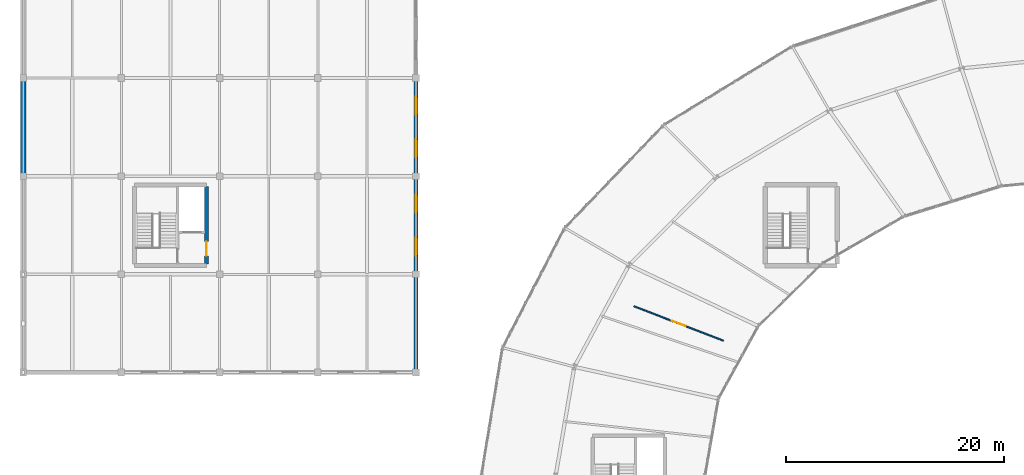
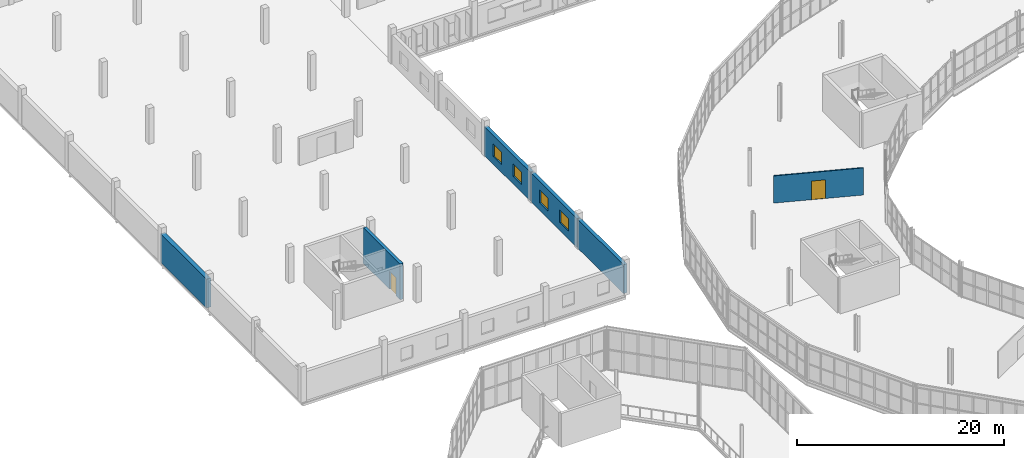
# One storey, part 137 of 161: 6 walls, 4 windows, 2 doors, 6 openings.
"""IFC4 building model written with IfcOpenShell, lengths in metres."""

from ifc_helpers import new_model, si_unit, direction, frame, frame_2d, origin, place, context, subcontext, project, spatial, rectangle, extrude, material, layer, layer_set, type_object, element, fill, save


model = new_model("IFC4")

# Units and contexts
model_context = context("Model", 3, precision=1e-05, world=origin(), true_north=direction((0.0, 1.0)))
body_context = subcontext(model_context, "Body", "Model", "MODEL_VIEW")
ifc_project = project(units=[si_unit("LENGTHUNIT", "METRE"), si_unit("AREAUNIT", "SQUARE_METRE"), si_unit("VOLUMEUNIT", "CUBIC_METRE"), si_unit("PLANEANGLEUNIT", "RADIAN"), si_unit("MASSUNIT", "GRAM", prefix="KILO")], contexts=[model_context])

# Site, building, storey
site_placement = place(None, origin())
site = spatial("IfcSite", under=ifc_project, at=site_placement, CompositionType="ELEMENT")
building_placement = place(site_placement, origin())
building = spatial("IfcBuilding", under=site, at=building_placement, Name="Kildeholm Park Wholesale Market", CompositionType="ELEMENT")
storey_placement = place(building_placement, frame((0.0, 0.0, 5.39990234375)))
storey = spatial("IfcBuildingStorey", under=building, at=storey_placement, Name="L01", CompositionType="ELEMENT", Elevation=5.39990234375)

# Wall
ifc_material_1 = material(Name="Precast concrete C40/50 insulated cold-store envelope wall", Category="concrete")
ifc_layer_1 = layer(ifc_material_1, 0.3798828125)
ifc_layer_set_1 = layer_set([ifc_layer_1], Name="Precast concrete C40/50 insulated cold-store envelope wall")
wall_type_1 = type_object("IfcWallType", Name="Exterior wall W-CS1 380 mm", PredefinedType="SOLIDWALL", material=ifc_layer_set_1)
wall_1_placement = place(storey_placement, frame((36.0, 99.06005859375, 0.0), z_axis=(0.0, 0.0, 1.0), x_axis=(0.0, 1.0, 0.0)))
element("IfcWall", 1, at=wall_1_placement, inside=storey, type_object=wall_type_1, Name="Exterior wall V4WE-L01.1 WL-0418", PredefinedType="SOLIDWALL", context=body_context, shape_type="SweptSolid", body=[
    extrude(rectangle(XDim=8.8798828125, YDim=0.3798828125, at=frame_2d((4.43994140625, 0.0))), origin(), (0.0, 0.0, 1.0), 3.400146484375),
])

# Wall, openings, windows
wall_2_placement = place(storey_placement, frame((36.0, 108.06005859375, 0.0), z_axis=(0.0, 0.0, 1.0), x_axis=(0.0, 1.0, 0.0)))
wall_2 = element("IfcWall", 2, at=wall_2_placement, inside=storey, type_object=wall_type_1, Name="Exterior wall V4WE-L01.2 WL-0419", PredefinedType="SOLIDWALL", context=body_context, shape_type="SweptSolid", body=[
    extrude(rectangle(XDim=8.8798828125, YDim=0.3798828125, at=frame_2d((4.43994140625, 0.0))), origin(), (0.0, 0.0, 1.0), 3.400146484375),
])
opening_1_placement = place(wall_2_placement, frame((1.660888671875, 0.0, 0.89990234375)))
opening_1 = element("IfcOpeningElement", 3, at=opening_1_placement, cuts=wall_2, Name="Opening WN-11", PredefinedType="OPENING", context=body_context, shape_type="SweptSolid", body=[
    extrude(rectangle(XDim=1.64990234375, YDim=1.5, at=frame_2d((0.824951171875, 0.75))), frame((0.0, 0.199951171875, 0.0), z_axis=(0.0, -1.0, 0.0), x_axis=(1.0, 0.0, 0.0)), (0.0, 0.0, 1.0), 0.39990234375),
])
opening_2_placement = place(wall_2_placement, frame((5.569091796875, 0.0, 0.89990234375)))
opening_2 = element("IfcOpeningElement", 4, at=opening_2_placement, cuts=wall_2, Name="Opening WN-11", PredefinedType="OPENING", context=body_context, shape_type="SweptSolid", body=[
    extrude(rectangle(XDim=1.64990234375, YDim=1.5, at=frame_2d((0.824951171875, 0.75))), frame((0.0, 0.199951171875, 0.0), z_axis=(0.0, -1.0, 0.0), x_axis=(1.0, 0.0, 0.0)), (0.0, 0.0, 1.0), 0.39990234375),
])
ifc_material_2 = material(Name="Thermally broken aluminium and triple-glazed low-E glass", Category="aluminium")
window_type = type_object("IfcWindowType", Name="Window WN-11 1650x1500", PartitioningType="DOUBLE_PANEL_VERTICAL", PredefinedType="WINDOW", material=ifc_material_2)
window_1_placement = place(opening_1_placement, origin())
window_1 = element("IfcWindow", 5, at=window_1_placement, inside=storey, type_object=window_type, Name="Window V4WE-L01.2.1 WIN-0207", OverallHeight=1.5, OverallWidth=1.64990234375, PartitioningType="SINGLE_PANEL", PredefinedType="WINDOW", context=body_context, shape_type="SweptSolid", body=[
    extrude(rectangle(XDim=1.64990234375, YDim=1.5, at=frame_2d((0.824951171875, 0.75))), frame((0.0, 0.030029296875, 0.0), z_axis=(0.0, -1.0, 0.0), x_axis=(1.0, 0.0, 0.0)), (0.0, 0.0, 1.0), 0.06005859375),
])
fill(opening_1, window_1)
window_2_placement = place(opening_2_placement, origin())
window_2 = element("IfcWindow", 6, at=window_2_placement, inside=storey, type_object=window_type, Name="Window V4WE-L01.2.2 WIN-0208", OverallHeight=1.5, OverallWidth=1.64990234375, PartitioningType="SINGLE_PANEL", PredefinedType="WINDOW", context=body_context, shape_type="SweptSolid", body=[
    extrude(rectangle(XDim=1.64990234375, YDim=1.5, at=frame_2d((0.824951171875, 0.75))), frame((0.0, 0.030029296875, 0.0), z_axis=(0.0, -1.0, 0.0), x_axis=(1.0, 0.0, 0.0)), (0.0, 0.0, 1.0), 0.06005859375),
])
fill(opening_2, window_2)

wall_3_placement = place(storey_placement, frame((36.0, 117.06005859375, 0.0), z_axis=(0.0, 0.0, 1.0), x_axis=(0.0, 1.0, 0.0)))
wall_3 = element("IfcWall", 7, at=wall_3_placement, inside=storey, type_object=wall_type_1, Name="Exterior wall V4WE-L01.3 WL-0420", PredefinedType="SOLIDWALL", context=body_context, shape_type="SweptSolid", body=[
    extrude(rectangle(XDim=8.8798828125, YDim=0.3798828125, at=frame_2d((4.43994140625, 0.0))), origin(), (0.0, 0.0, 1.0), 3.400146484375),
])
opening_3_placement = place(wall_3_placement, frame((1.660888671875, 0.0, 0.89990234375)))
opening_3 = element("IfcOpeningElement", 8, at=opening_3_placement, cuts=wall_3, Name="Opening WN-11", PredefinedType="OPENING", context=body_context, shape_type="SweptSolid", body=[
    extrude(rectangle(XDim=1.64990234375, YDim=1.5, at=frame_2d((0.824951171875, 0.75))), frame((0.0, 0.199951171875, 0.0), z_axis=(0.0, -1.0, 0.0), x_axis=(1.0, 0.0, 0.0)), (0.0, 0.0, 1.0), 0.39990234375),
])
opening_4_placement = place(wall_3_placement, frame((5.569091796875, 0.0, 0.89990234375)))
opening_4 = element("IfcOpeningElement", 9, at=opening_4_placement, cuts=wall_3, Name="Opening WN-11", PredefinedType="OPENING", context=body_context, shape_type="SweptSolid", body=[
    extrude(rectangle(XDim=1.64990234375, YDim=1.5, at=frame_2d((0.824951171875, 0.75))), frame((0.0, 0.199951171875, 0.0), z_axis=(0.0, -1.0, 0.0), x_axis=(1.0, 0.0, 0.0)), (0.0, 0.0, 1.0), 0.39990234375),
])
window_3_placement = place(opening_3_placement, origin())
window_3 = element("IfcWindow", 10, at=window_3_placement, inside=storey, type_object=window_type, Name="Window V4WE-L01.3.1 WIN-0209", OverallHeight=1.5, OverallWidth=1.64990234375, PartitioningType="SINGLE_PANEL", PredefinedType="WINDOW", context=body_context, shape_type="SweptSolid", body=[
    extrude(rectangle(XDim=1.64990234375, YDim=1.5, at=frame_2d((0.824951171875, 0.75))), frame((0.0, 0.030029296875, 0.0), z_axis=(0.0, -1.0, 0.0), x_axis=(1.0, 0.0, 0.0)), (0.0, 0.0, 1.0), 0.06005859375),
])
fill(opening_3, window_3)
window_4_placement = place(opening_4_placement, origin())
window_4 = element("IfcWindow", 11, at=window_4_placement, inside=storey, type_object=window_type, Name="Window V4WE-L01.3.2 WIN-0210", OverallHeight=1.5, OverallWidth=1.64990234375, PartitioningType="SINGLE_PANEL", PredefinedType="WINDOW", context=body_context, shape_type="SweptSolid", body=[
    extrude(rectangle(XDim=1.64990234375, YDim=1.5, at=frame_2d((0.824951171875, 0.75))), frame((0.0, 0.030029296875, 0.0), z_axis=(0.0, -1.0, 0.0), x_axis=(1.0, 0.0, 0.0)), (0.0, 0.0, 1.0), 0.06005859375),
])
fill(opening_4, window_4)

# Wall
ifc_material_3 = material(Name="Precast concrete C40/50 deep-freeze thermal envelope wall", Category="concrete")
ifc_layer_2 = layer(ifc_material_3, 0.47998046875)
ifc_layer_set_2 = layer_set([ifc_layer_2], Name="Precast concrete C40/50 deep-freeze thermal envelope wall")
wall_type_2 = type_object("IfcWallType", Name="Exterior wall W-CS2 480 mm", PredefinedType="SOLIDWALL", material=ifc_layer_set_2)
wall_4_placement = place(storey_placement, frame((0.0, 117.06005859375, 0.0), z_axis=(0.0, 0.0, 1.0), x_axis=(0.0, 1.0, 0.0)))
element("IfcWall", 12, at=wall_4_placement, inside=storey, type_object=wall_type_2, Name="Exterior wall V4W-L01.3 WL-0387", PredefinedType="SOLIDWALL", context=body_context, shape_type="SweptSolid", body=[
    extrude(rectangle(XDim=8.8798828125, YDim=0.47998046875, at=frame_2d((4.43994140625, 0.0))), origin(), (0.0, 0.0, 1.0), 3.400146484375),
])

# Wall, opening, door
ifc_material_4 = material(Name="Galvanized steel stud and moisture-resistant tile partition", Category="steel")
ifc_layer_3 = layer(ifc_material_4, 0.1201171875)
ifc_layer_set_3 = layer_set([ifc_layer_3], Name="Galvanized steel stud and moisture-resistant tile partition")
wall_type_3 = type_object("IfcWallType", Name="Partition W-PT02 120 mm", PredefinedType="PARTITIONING", material=ifc_layer_set_3)
wall_5_placement = place(storey_placement, frame((64.169921875, 101.91796875, 0.0), z_axis=(0.0, 0.0, 1.0), x_axis=(-0.933238808021, 0.359256631399, 0.0)))
wall_5 = element("IfcWall", 13, at=wall_5_placement, inside=storey, type_object=wall_type_3, Name="Interior partition W-V1-ST1-10 WL-0940", PredefinedType="PARTITIONING", context=body_context, shape_type="SweptSolid", body=[
    extrude(rectangle(XDim=8.7822265625, YDim=0.1201171875, at=frame_2d((4.39111328125, 0.0))), origin(), (0.0, 0.0, 1.0), 3.2001953125),
])
opening_5_placement = place(wall_5_placement, frame((3.716064453125, 0.0, 0.0)))
opening_5 = element("IfcOpeningElement", 14, at=opening_5_placement, cuts=wall_5, Name="Opening D-IN07", PredefinedType="OPENING", context=body_context, shape_type="SweptSolid", body=[
    extrude(rectangle(XDim=1.35009765625, YDim=2.199951171875, at=frame_2d((0.675048828125, 1.10009765625))), frame((0.0, 0.070068359375, 0.0), z_axis=(0.0, -1.0, 0.0), x_axis=(1.0, 0.0, 0.0)), (0.0, 0.0, 1.0), 0.14013671875),
])
ifc_material_5 = material(Name="Wholesale stall service doorset")
door_type_1 = type_object("IfcDoorType", Name="Interior door D-IN07 1350x2200", OperationType="NOTDEFINED", PredefinedType="DOOR", material=ifc_material_5)
door_1_placement = place(opening_5_placement, origin())
door_1 = element("IfcDoor", 15, at=door_1_placement, inside=storey, type_object=door_type_1, Name="Interior door V1-ST1-10 DR-0215 WL-0940", OperationType="SINGLE_SWING_LEFT", OverallHeight=2.199951171875, OverallWidth=1.35009765625, PredefinedType="DOOR", context=body_context, shape_type="SweptSolid", body=[
    extrude(rectangle(XDim=1.35009765625, YDim=2.199951171875, at=frame_2d((0.675048828125, 1.10009765625))), frame((0.0, 0.02490234375, 0.0), z_axis=(0.0, -1.0, 0.0), x_axis=(1.0, 0.0, 0.0)), (0.0, 0.0, 1.0), 0.050048828125),
])
fill(opening_5, door_1)

ifc_material_6 = material(Name="Concrete C40/50", Category="concrete")
ifc_layer_4 = layer(ifc_material_6, 0.35009765625)
ifc_layer_set_4 = layer_set([ifc_layer_4], Name="Concrete C40/50")
wall_type_4 = type_object("IfcWallType", Name="Shear wall W-SH3 350 mm", PredefinedType="SHEAR", material=ifc_layer_set_4)
wall_6_placement = place(storey_placement, frame((16.800048828125, 108.949951171875, 0.0), z_axis=(0.0, 0.0, 1.0), x_axis=(0.0, 1.0, 0.0)))
wall_6 = element("IfcWall", 16, at=wall_6_placement, inside=storey, type_object=wall_type_4, Name="Core C01 east shear wall L01 WL-0656", PredefinedType="SHEAR", context=body_context, shape_type="SweptSolid", body=[
    extrude(rectangle(XDim=7.10009765625, YDim=0.35009765625, at=frame_2d((3.550048828125, 0.0))), origin(), (0.0, 0.0, 1.0), 4.2001953125),
])
opening_6_placement = place(wall_6_placement, frame((0.75, 0.0, 0.0)))
opening_6 = element("IfcOpeningElement", 17, at=opening_6_placement, cuts=wall_6, Name="Opening D-CR02", PredefinedType="OPENING", context=body_context, shape_type="SweptSolid", body=[
    extrude(rectangle(XDim=1.300048828125, YDim=2.14990234375, at=frame_2d((0.64990234375, 1.074951171875))), frame((0.0, 0.18505859375, 0.0), z_axis=(0.0, -1.0, 0.0), x_axis=(1.0, 0.0, 0.0)), (0.0, 0.0, 1.0), 0.3701171875),
])
ifc_material_7 = material(Name="Painted steel core lobby double-leaf doorset", Category="steel")
door_type_2 = type_object("IfcDoorType", Name="Interior door D-CR02 1300x2150", OperationType="NOTDEFINED", PredefinedType="DOOR", material=ifc_material_7)
door_2_placement = place(opening_6_placement, frame((1.300048828125, 0.0, 0.0), z_axis=(0.0, 0.0, 1.0), x_axis=(-1.0, 0.0, 0.0)))
door_2 = element("IfcDoor", 18, at=door_2_placement, inside=storey, type_object=door_type_2, Name="Core C01 lobby entrance door L01 DR-0076 WL-0656", OperationType="DOUBLE_DOOR_SINGLE_SWING", OverallHeight=2.14990234375, OverallWidth=1.300048828125, PredefinedType="DOOR", context=body_context, shape_type="SweptSolid", body=[
    extrude(rectangle(XDim=1.300048828125, YDim=2.14990234375, at=frame_2d((0.64990234375, 1.074951171875))), frame((0.0, 0.02490234375, 0.0), z_axis=(0.0, -1.0, 0.0), x_axis=(1.0, 0.0, 0.0)), (0.0, 0.0, 1.0), 0.050048828125),
])
fill(opening_6, door_2)

save(model, "model.ifc")
